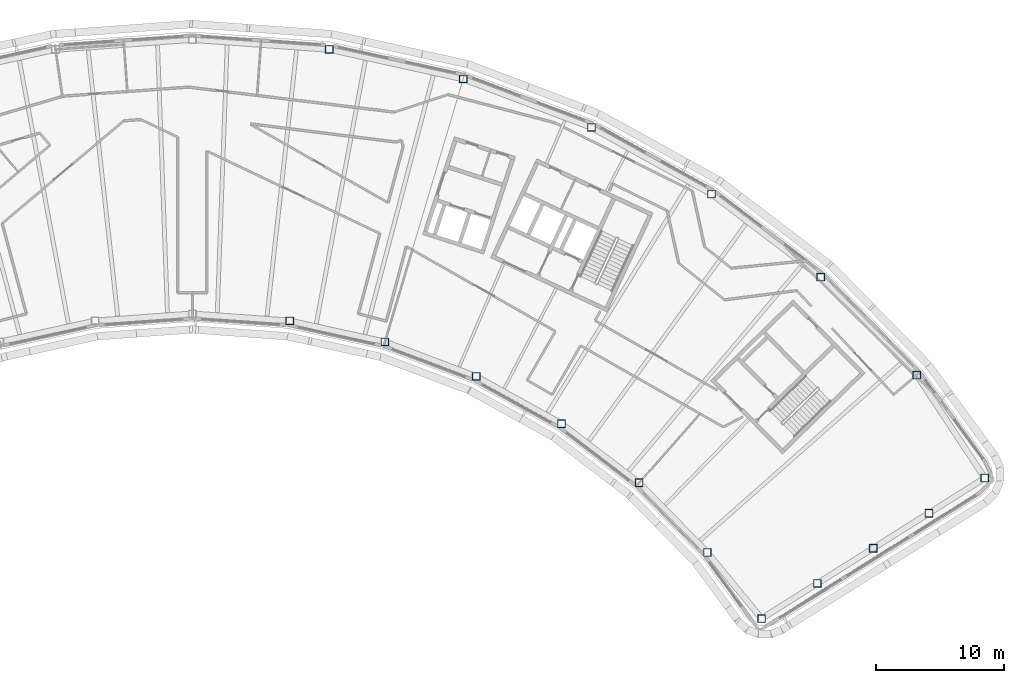
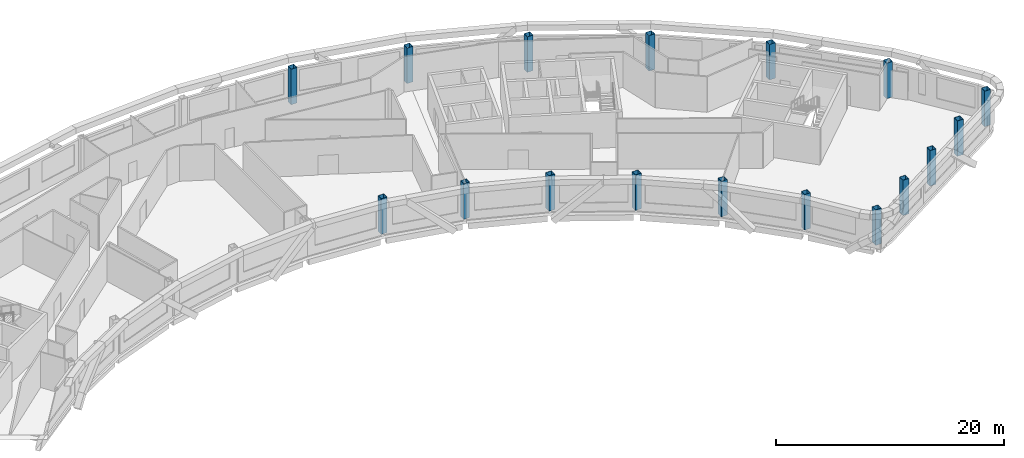
# One storey, part 2 of 17: 17 columns.
"""IFC4 building model written with IfcOpenShell, lengths in metres."""

from ifc_helpers import new_model, si_unit, direction, frame, origin, origin_2d, place, context, subcontext, project, spatial, hollow_rectangle, extrude, material, material_profile, profile_set, type_object, element, save


model = new_model("IFC4")

# Units and contexts
model_context = context("Model", 3, precision=1e-05, world=origin(), true_north=direction((0.0, 1.0)))
body_context = subcontext(model_context, "Body", "Model", "MODEL_VIEW")
ifc_project = project(units=[si_unit("LENGTHUNIT", "METRE"), si_unit("AREAUNIT", "SQUARE_METRE"), si_unit("VOLUMEUNIT", "CUBIC_METRE"), si_unit("PLANEANGLEUNIT", "RADIAN"), si_unit("MASSUNIT", "GRAM", prefix="KILO")], contexts=[model_context])

# Site, building, storey
site_placement = place(None, origin())
site = spatial("IfcSite", under=ifc_project, at=site_placement, CompositionType="ELEMENT")
building_placement = place(site_placement, origin())
building = spatial("IfcBuilding", under=site, at=building_placement, Name="Tuul Gate Civic Tower", CompositionType="ELEMENT")
storey_placement = place(building_placement, frame((0.0, 0.0, 344.89990234375)))
storey = spatial("IfcBuildingStorey", under=building, at=storey_placement, Name="Level 78", CompositionType="ELEMENT", Elevation=344.89990234375)

# Columns
ifc_material = material(Name="Steel S355", Category="steel")
ifc_material_profile = material_profile(ifc_material, hollow_rectangle(XDim=0.60009765625, YDim=0.60009765625, WallThickness=0.02490234375, at=origin_2d()), Name="BOX600x600x25")
ifc_profile_set = profile_set([ifc_material_profile], Name="Steel S355")
column_type = type_object("IfcColumnType", Name="STR-COLUMN-BOX600x600x25", PredefinedType="COLUMN", material=ifc_profile_set)
for number, where, z_axis, x_axis, name in (
    (1, (63.863037109375, -20.300048828125, 0.0), (0.0, 0.0, 1.0), (1.0, 0.0, 0.0), "Column"),
    (2, (58.56396484375, -12.2880859375, 0.0), (0.0, 0.0, 1.0), (1.0, 0.0, 0.0), "Column"),
    (3, (51.090087890625, -4.6630859375, 0.0), (0.0, 0.0, 1.0), (1.0, 0.0, 0.0), "Column"),
    (4, (42.593994140625, 1.804931640625, 0.0), (0.0, 0.0, 1.0), (1.0, 0.0, 0.0), "Column"),
    (5, (33.256103515625, 6.98193359375, 0.0), (0.0, 0.0, 1.0), (1.0, 0.0, 0.0), "Column"),
    (6, (23.26904296875, 10.758056640625, 0.0), (0.0, 0.0, 1.0), (1.0, 0.0, 0.0), "Column"),
    (7, (12.841064453125, 13.055908203125, 0.0), (0.0, 0.0, 1.0), (1.0, 0.0, 0.0), "Column"),
    (8, (9.763916015625, -8.076904296875, 0.0), (0.0, 0.0, 1.0), (1.0, 0.0, 0.0), "Column"),
    (9, (17.177978515625, -9.7099609375, 0.0), (0.0, 0.0, 1.0), (1.0, 0.0, 0.0), "Column"),
    (10, (24.279052734375, -12.39599609375, 0.0), (0.0, 0.0, 1.0), (1.0, 0.0, 0.0), "Column"),
    (11, (30.9189453125, -16.075927734375, 0.0), (0.0, 0.0, 1.0), (1.0, 0.0, 0.0), "Column"),
    (12, (36.958984375, -20.675048828125, 0.0), (0.0, 0.0, 1.0), (1.0, 0.0, 0.0), "Column"),
    (13, (42.27294921875, -26.096923828125, 0.0), (0.0, 0.0, 1.0), (1.0, 0.0, 0.0), "Column"),
    (14, (46.492919921875, -31.239013671875, 0.0), (0.0, 0.0, 1.0), (1.0, 0.0, 0.0), "Column"),
    (15, (50.8349609375, -28.50390625, 0.0), (0.0, 0.0, 1.0), (1.0, 0.0, 0.0), "Column"),
    (16, (55.177978515625, -25.77001953125, 0.0), (0.0, 0.0, 1.0), (1.0, 0.0, 0.0), "Column"),
    (17, (59.52001953125, -23.034912109375, 0.0), (0.0, 0.0, 1.0), (1.0, 0.0, 0.0), "Column"),
):
    element("IfcColumn", number, at=place(storey_placement, frame(where, z_axis=z_axis, x_axis=x_axis)), inside=storey, type_object=column_type, Name=name, PredefinedType="COLUMN", context=body_context, shape_type="SweptSolid", body=[
        extrude(hollow_rectangle(XDim=0.60009765625, YDim=0.60009765625, WallThickness=0.02490234375, at=origin_2d()), origin(), (0.0, 0.0, 1.0), 3.800048828125),
    ])

save(model, "model.ifc")
